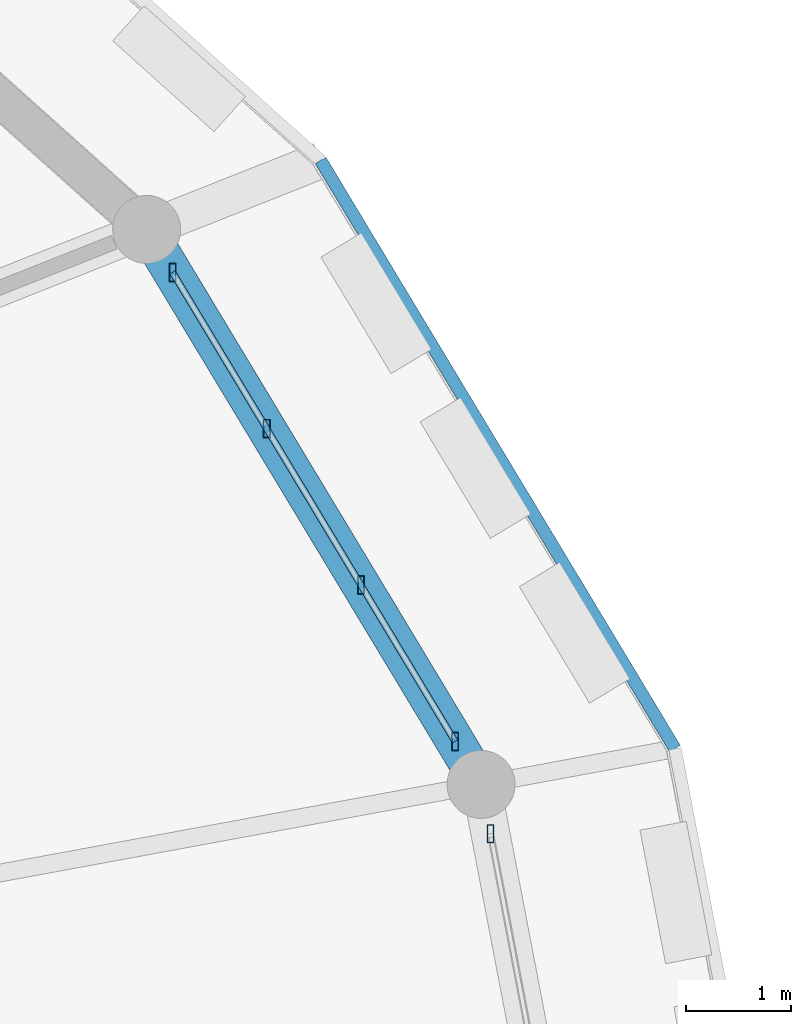
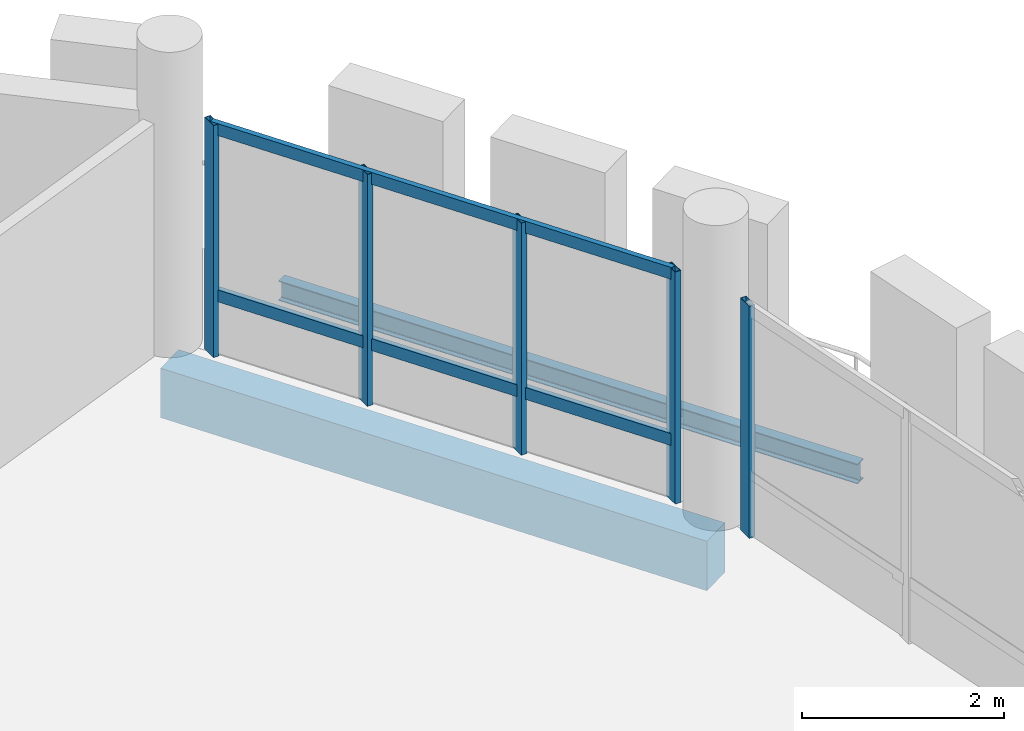
# One storey, part 52 of 84: 7 members, 2 beams, 2 elements without a shape of their own.
"""IFC4 building model written with IfcOpenShell, lengths in metres."""

import ifcopenshell
import ifcopenshell.guid

model = None  # the IFC model being written
_history = None  # IfcOwnerHistory: only IFC2X3 demands one
_inside = {}  # id of a spatial element -> (the spatial element, [elements in it])
_under = {}  # id of a project, library or spatial element -> (it, [spatial elements below it])
_declared = {}  # id of a project -> (the project, [libraries it declares])
_typed = {}  # id of a type object -> (the type object, [elements of that type])
_made_of = {}  # id of a material, layer set ... -> (it, [elements and type objects made of it])


def new_model(schema):
    """Start an empty IFC model of exactly this schema.

    Asked for "IFC4X3", IfcOpenShell would pick the latest addendum, in which some entities
    have other attributes; the version numbers below select the first issue.
    IFC2X3 requires an IfcOwnerHistory on every rooted entity: one is made here for all.
    """
    global model, _history
    if schema == "IFC4X3":
        model = ifcopenshell.file(schema_version=(4, 3, 0, 0))
    else:
        model = ifcopenshell.file(schema=schema)
    _inside.clear()
    _under.clear()
    _declared.clear()
    _typed.clear()
    _made_of.clear()
    _history = None
    if model.schema == "IFC2X3":
        org = make("IfcOrganization", Name="unknown")
        user = make(
            "IfcPersonAndOrganization",
            ThePerson=make("IfcPerson", FamilyName="unknown"),
            TheOrganization=org,
        )
        app = make(
            "IfcApplication",
            ApplicationDeveloper=org,
            Version="unknown",
            ApplicationFullName="unknown",
            ApplicationIdentifier="unknown",
        )
        _history = make(
            "IfcOwnerHistory",
            OwningUser=user,
            OwningApplication=app,
            ChangeAction="ADDED",
            CreationDate=0,
        )
    return model


def make(cls, **values):
    """One entity of the class cls with the attributes given. An attribute that is None is left unset."""
    return model.create_entity(
        cls, **{name: value for name, value in values.items() if value is not None}
    )


def rooted(cls, **values):
    """An entity with a GlobalId (a new one), such as an element, a storey or a relation."""
    return make(cls, GlobalId=ifcopenshell.guid.new(), OwnerHistory=_history, **values)


def si_unit(unit_type, name, prefix=None):
    """IfcSIUnit, for example si_unit("LENGTHUNIT", "METRE", prefix="MILLI")."""
    return make("IfcSIUnit", UnitType=unit_type, Prefix=prefix, Name=name)


def assignment(units):
    """IfcUnitAssignment: the units of a project."""
    return None if units is None else make("IfcUnitAssignment", Units=units)


def point(xyz):
    """IfcCartesianPoint."""
    return None if xyz is None else make("IfcCartesianPoint", Coordinates=xyz)


def direction(xyz):
    """IfcDirection."""
    return None if xyz is None else make("IfcDirection", DirectionRatios=xyz)


def frame(location, z_axis=None, x_axis=None):
    """IfcAxis2Placement3D, a coordinate frame: its origin and axes. An axis left out is left unset."""
    return make(
        "IfcAxis2Placement3D",
        Location=point(location),
        Axis=direction(z_axis),
        RefDirection=direction(x_axis),
    )


def frame_2d(location, x_axis=None):
    """IfcAxis2Placement2D, a coordinate frame in the plane: its origin and x axis."""
    return make(
        "IfcAxis2Placement2D", Location=point(location), RefDirection=direction(x_axis)
    )


def origin():
    """The frame at (0, 0, 0) with its axes left unset."""
    return frame((0.0, 0.0, 0.0))


def origin_2d():
    """The frame at (0, 0) in the plane with its x axis left unset."""
    return frame_2d((0.0, 0.0))


def place(relative_to, where):
    """IfcLocalPlacement: puts the frame where relative to a parent placement (None: the world)."""
    return make(
        "IfcLocalPlacement", PlacementRelTo=relative_to, RelativePlacement=where
    )


def context(
    kind, dimensions, precision=None, world=None, true_north=None, identifier=None
):
    """IfcGeometricRepresentationContext, for example the 3D "Model" context."""
    return make(
        "IfcGeometricRepresentationContext",
        ContextIdentifier=identifier,
        ContextType=kind,
        CoordinateSpaceDimension=dimensions,
        Precision=precision,
        WorldCoordinateSystem=world,
        TrueNorth=true_north,
    )


def subcontext(parent, identifier, kind, view, scale=None):
    """IfcGeometricRepresentationSubContext, for example "Body" below "Model"."""
    return make(
        "IfcGeometricRepresentationSubContext",
        ContextIdentifier=identifier,
        ContextType=kind,
        ParentContext=parent,
        TargetScale=scale,
        TargetView=view,
    )


def project(units=None, contexts=None):
    """IfcProject with its units and contexts."""
    return rooted(
        "IfcProject",
        Name="project",
        RepresentationContexts=contexts,
        UnitsInContext=assignment(units),
    )


def spatial(cls, under=None, at=None, **own):
    """A site, building, storey or space (cls), placed at a placement, below another one or the project."""
    s = rooted(cls, ObjectPlacement=at, **own)
    if under is not None:
        _under.setdefault(under.id(), (under, []))[1].append(s)
    return s


def profile(cls, at=None, kind="AREA", **sizes):
    """A parametric profile (cls). Its sizes go by their IFC names, for example OverallWidth=200.0."""
    return make(cls, ProfileType=kind, Position=at, **sizes)


def rectangle(**sizes):
    """IfcRectangleProfileDef."""
    return profile("IfcRectangleProfileDef", **sizes)


def hollow_rectangle(**sizes):
    """IfcRectangleHollowProfileDef."""
    return profile("IfcRectangleHollowProfileDef", **sizes)


def i_section(**sizes):
    """IfcIShapeProfileDef."""
    return profile("IfcIShapeProfileDef", **sizes)


def extrude(swept, where, along, depth):
    """IfcExtrudedAreaSolid: the profile swept, set in the frame where, extruded along a direction by depth."""
    return make(
        "IfcExtrudedAreaSolid",
        SweptArea=swept,
        Position=where,
        ExtrudedDirection=direction(along),
        Depth=depth,
    )


def shape(context_of_items, identifier, shape_type, items):
    """IfcShapeRepresentation: the items that make up one representation, for example the "Body"."""
    return make(
        "IfcShapeRepresentation",
        ContextOfItems=context_of_items,
        RepresentationIdentifier=identifier,
        RepresentationType=shape_type,
        Items=items,
    )


def material(Name=None, Category=None):
    """IfcMaterial."""
    return make("IfcMaterial", Name=Name, Category=Category)


def material_profile(
    of_material, cross_section, Name=None, Category=None, Priority=None
):
    """IfcMaterialProfile: a cross section and its material."""
    return make(
        "IfcMaterialProfile",
        Name=Name,
        Material=of_material,
        Profile=cross_section,
        Priority=Priority,
        Category=Category,
    )


def profile_set(profiles, Name=None, composite=None):
    """IfcMaterialProfileSet."""
    return make(
        "IfcMaterialProfileSet",
        Name=Name,
        MaterialProfiles=profiles,
        CompositeProfile=composite,
    )


def made_of(thing, what):
    """Note that an element or type object is made of a material, layer set ...; save() writes the relation."""
    if what is not None:
        _made_of.setdefault(what.id(), (what, []))[1].append(thing)
    return thing


def type_object(cls, material=None, **own):
    """A type object (cls), such as IfcWallType, which elements share."""
    return made_of(rooted(cls, **own), material)


def element(
    cls,
    number,
    at=None,
    inside=None,
    cuts=None,
    type_object=None,
    material=None,
    context=None,
    identifier="Body",
    shape_type=None,
    held_by="IfcProductDefinitionShape",
    body=None,
    shapes=None,
    **own,
):
    """One element of the class cls, such as IfcWall. Its Tag is "e" and its number.

    at: its placement. inside: the storey or other place that contains it. cuts: it is an
    opening in that element (IfcRelVoidsElement). A single representation is given by context,
    identifier, shape_type and body (its items); several are given by shapes. held_by: the class
    of the entity that holds the representations. save() writes the other relations.
    """
    e = rooted(cls, Tag="e%d" % number, ObjectPlacement=at, **own)
    if body is not None:
        shapes = [shape(context, identifier, shape_type, body)]
    if shapes is not None:
        e.Representation = make(held_by, Representations=shapes)
    if inside is not None:
        _inside.setdefault(inside.id(), (inside, []))[1].append(e)
    if cuts is not None:
        rooted(
            "IfcRelVoidsElement", RelatingBuildingElement=cuts, RelatedOpeningElement=e
        )
    if type_object is not None:
        _typed.setdefault(type_object.id(), (type_object, []))[1].append(e)
    return made_of(e, material)


def aggregate(whole, parts):
    """IfcRelAggregates: a whole, such as a stair, and the parts it consists of."""
    return rooted("IfcRelAggregates", RelatingObject=whole, RelatedObjects=parts)


def save(model, path):
    """Write the relations noted so far, then the file.

    IfcRelAggregates (storeys below a building ...), IfcRelContainedInSpatialStructure (elements
    in a storey), IfcRelDefinesByType, IfcRelAssociatesMaterial and IfcRelDeclares: one each for
    every whole, place, type object, material and project.
    """
    for whole, parts in _under.values():
        aggregate(whole, parts)
    for where, things in _inside.values():
        rooted(
            "IfcRelContainedInSpatialStructure",
            RelatedElements=things,
            RelatingStructure=where,
        )
    for kind, things in _typed.values():
        rooted("IfcRelDefinesByType", RelatedObjects=things, RelatingType=kind)
    for what, things in _made_of.values():
        rooted("IfcRelAssociatesMaterial", RelatedObjects=things, RelatingMaterial=what)
    for by, libraries in _declared.values():
        rooted("IfcRelDeclares", RelatingContext=by, RelatedDefinitions=libraries)
    model.write(path)


model = new_model("IFC4")

# Units and contexts
model_context = context("Model", 3, precision=1e-05, world=origin(), true_north=direction((0.0, 1.0)))
body_context = subcontext(model_context, "Body", "Model", "MODEL_VIEW")
ifc_project = project(units=[si_unit("LENGTHUNIT", "METRE"), si_unit("AREAUNIT", "SQUARE_METRE"), si_unit("VOLUMEUNIT", "CUBIC_METRE"), si_unit("PLANEANGLEUNIT", "RADIAN"), si_unit("MASSUNIT", "GRAM", prefix="KILO")], contexts=[model_context])

# Site, building, storey
site_placement = place(None, origin())
site = spatial("IfcSite", under=ifc_project, at=site_placement, CompositionType="ELEMENT")
building_placement = place(site_placement, origin())
building = spatial("IfcBuilding", under=site, at=building_placement, Name="Zornivar Specialist Clinic", CompositionType="ELEMENT")
storey_placement = place(building_placement, frame((0.0, 0.0, 12.300048828125)))
storey = spatial("IfcBuildingStorey", under=building, at=storey_placement, Name="L03", CompositionType="ELEMENT", Elevation=12.300048828125)

# Beams
ifc_material_1 = material(Name="Concrete C30/37", Category="concrete")
ifc_material_profile_1 = material_profile(ifc_material_1, rectangle(XDim=0.3701171875, YDim=0.60009765625, at=origin_2d()), Name="RC 370x600")
ifc_profile_set_1 = profile_set([ifc_material_profile_1], Name="Concrete C30/37")
beam_type_1 = type_object("IfcBeamType", Name="BM-RC-SPANDREL-370x600", PredefinedType="SPANDREL", material=ifc_profile_set_1)
beam_1_placement = place(storey_placement, frame((124.510009765625, 63.2939453125, -0.5400390625), z_axis=(-0.516077084803, 0.856542142887, 0.0), x_axis=(-0.856542142887, -0.516077084803, 0.0)))
element("IfcBeam", 1, at=beam_1_placement, inside=storey, type_object=beam_type_1, Name="bm:V1:L03:outring:01", PredefinedType="SPANDREL", context=body_context, shape_type="SweptSolid", body=[
    extrude(rectangle(XDim=0.3701171875, YDim=0.60009765625, at=origin_2d()), origin(), (0.0, 0.0, 1.0), 6.19482421875),
])
ifc_material_2 = material(Name="Steel S355J2", Category="steel")
ifc_material_profile_2 = material_profile(ifc_material_2, i_section(OverallWidth=0.1201171875, OverallDepth=0.239990234375, WebThickness=0.006103515625, FlangeThickness=0.009765625, FilletRadius=0.014892578125, at=origin_2d()), Name="IPE 240")
ifc_profile_set_2 = profile_set([ifc_material_profile_2], Name="Steel S355J2")
beam_type_2 = type_object("IfcBeamType", Name="BM-STL-IPE240", PredefinedType="JOIST", material=ifc_profile_set_2)
beam_2_placement = place(storey_placement, frame((126.364013671875, 63.635986328125, -0.360107421875), z_axis=(-0.516009675347, 0.856582754291, 0.0), x_axis=(-0.856582754291, -0.516009675347, 0.0)))
element("IfcBeam", 2, at=beam_2_placement, inside=storey, type_object=beam_type_2, Name="bm:V1:L03:balring:01", PredefinedType="JOIST", context=body_context, shape_type="SweptSolid", body=[
    extrude(i_section(OverallWidth=0.1201171875, OverallDepth=0.239990234375, WebThickness=0.006103515625, FlangeThickness=0.009765625, FilletRadius=0.014892578125, at=origin_2d()), origin(), (0.0, 0.0, 1.0), 6.565673828125),
])

# Curtain wall, member
ifc_material_3 = material(Name="Aluminium and Low-E Glass Curtain Wall", Category="aluminium")
curtain_wall_type = type_object("IfcCurtainWallType", Name="CW-DRUM-FACET", PredefinedType="NOTDEFINED", material=ifc_material_3)
curtain_wall_1_placement = place(storey_placement, origin())
curtain_wall_1 = element("IfcCurtainWall", 3, at=curtain_wall_1_placement, inside=storey, type_object=curtain_wall_type, Name="cw:V1:L03:c00", PredefinedType="NOTDEFINED")
ifc_material_4 = material(Name="Aluminium AW-6060", Category="aluminium")
ifc_material_profile_3 = material_profile(ifc_material_4, hollow_rectangle(XDim=0.06494140625, YDim=0.175048828125, WallThickness=0.00439453125, at=origin_2d()), Name="ALU 65x175x4.5")
ifc_profile_set_3 = profile_set([ifc_material_profile_3], Name="Aluminium AW-6060")
member_type_1 = type_object("IfcMemberType", Name="CWM-MUL-175", PredefinedType="MULLION", material=ifc_profile_set_3)
member_1_placement = place(storey_placement, frame((124.60009765625, 62.822998046875, 0.0), z_axis=(0.0, 0.0, 1.0), x_axis=(1.0, 0.0, 0.0)))
member_1 = element("IfcMember", 4, at=member_1_placement, type_object=member_type_1, Name="cw:V1:L03:c00:mul:2", PredefinedType="MULLION", context=body_context, shape_type="SweptSolid", body=[
    extrude(hollow_rectangle(XDim=0.06494140625, YDim=0.175048828125, WallThickness=0.00439453125, at=origin_2d()), origin(), (0.0, 0.0, 1.0), 2.81005859375),
])
aggregate(curtain_wall_1, [member_1])

# Curtain wall, members
curtain_wall_2_placement = place(storey_placement, origin())
curtain_wall_2 = element("IfcCurtainWall", 5, at=curtain_wall_2_placement, inside=storey, type_object=curtain_wall_type, Name="cw:V1:L03:c01", PredefinedType="NOTDEFINED")
member_2_placement = place(storey_placement, frame((124.261962890625, 63.705078125, 0.0), z_axis=(0.0, 0.0, 1.0), x_axis=(1.0, 0.0, 0.0)))
member_2 = element("IfcMember", 6, at=member_2_placement, type_object=member_type_1, Name="cw:V1:L03:c01:mul:0", PredefinedType="MULLION", context=body_context, shape_type="SweptSolid", body=[
    extrude(hollow_rectangle(XDim=0.06494140625, YDim=0.175048828125, WallThickness=0.00439453125, at=origin_2d()), origin(), (0.0, 0.0, 1.0), 2.81005859375),
])
member_3_placement = place(storey_placement, frame((123.362060546875, 65.199951171875, 0.0), z_axis=(0.0, 0.0, 1.0), x_axis=(1.0, 0.0, 0.0)))
member_3 = element("IfcMember", 7, at=member_3_placement, type_object=member_type_1, Name="cw:V1:L03:c01:mul:1", PredefinedType="MULLION", context=body_context, shape_type="SweptSolid", body=[
    extrude(hollow_rectangle(XDim=0.06494140625, YDim=0.175048828125, WallThickness=0.00439453125, at=origin_2d()), origin(), (0.0, 0.0, 1.0), 2.81005859375),
])
member_4_placement = place(storey_placement, frame((122.4609375, 66.695068359375, 0.0), z_axis=(0.0, 0.0, 1.0), x_axis=(1.0, 0.0, 0.0)))
member_4 = element("IfcMember", 8, at=member_4_placement, type_object=member_type_1, Name="cw:V1:L03:c01:mul:2", PredefinedType="MULLION", context=body_context, shape_type="SweptSolid", body=[
    extrude(hollow_rectangle(XDim=0.06494140625, YDim=0.175048828125, WallThickness=0.00439453125, at=origin_2d()), origin(), (0.0, 0.0, 1.0), 2.81005859375),
])
member_5_placement = place(storey_placement, frame((121.56103515625, 68.18896484375, 0.0), z_axis=(0.0, 0.0, 1.0), x_axis=(1.0, 0.0, 0.0)))
member_5 = element("IfcMember", 9, at=member_5_placement, type_object=member_type_1, Name="cw:V1:L03:c01:mul:3", PredefinedType="MULLION", context=body_context, shape_type="SweptSolid", body=[
    extrude(hollow_rectangle(XDim=0.06494140625, YDim=0.175048828125, WallThickness=0.00439453125, at=origin_2d()), origin(), (0.0, 0.0, 1.0), 2.81005859375),
])
ifc_material_5 = material(Name="Aluminium AW-6060", Category="aluminium")
ifc_material_profile_4 = material_profile(ifc_material_5, hollow_rectangle(XDim=0.06005859375, YDim=0.14501953125, WallThickness=0.00390625, at=origin_2d()), Name="ALU 60x145x4")
ifc_profile_set_4 = profile_set([ifc_material_profile_4], Name="Aluminium AW-6060")
member_type_2 = type_object("IfcMemberType", Name="CWM-TRN-145", PredefinedType="USERDEFINED", material=ifc_profile_set_4)
member_6_placement = place(storey_placement, frame((124.261962890625, 63.705078125, 0.73095703125), z_axis=(-0.515983359641, 0.856598606451, 0.0), x_axis=(-0.856598606451, -0.515983359641, 0.0)))
member_6 = element("IfcMember", 10, at=member_6_placement, type_object=member_type_2, Name="cw:V1:L03:c01:trn:0", ObjectType="TRANSOM", PredefinedType="USERDEFINED", context=body_context, shape_type="SweptSolid", body=[
    extrude(hollow_rectangle(XDim=0.06005859375, YDim=0.14501953125, WallThickness=0.00390625, at=origin_2d()), origin(), (0.0, 0.0, 1.0), 5.234619140625),
])
member_7_placement = place(storey_placement, frame((124.261962890625, 63.705078125, 2.744873046875), z_axis=(-0.515983359641, 0.856598606451, 0.0), x_axis=(-0.856598606451, -0.515983359641, 0.0)))
member_7 = element("IfcMember", 11, at=member_7_placement, type_object=member_type_2, Name="cw:V1:L03:c01:trn:1", ObjectType="TRANSOM", PredefinedType="USERDEFINED", context=body_context, shape_type="SweptSolid", body=[
    extrude(hollow_rectangle(XDim=0.06005859375, YDim=0.14501953125, WallThickness=0.00390625, at=origin_2d()), origin(), (0.0, 0.0, 1.0), 5.234619140625),
])
aggregate(curtain_wall_2, [member_2, member_3, member_4, member_5, member_6, member_7])

save(model, "model.ifc")
